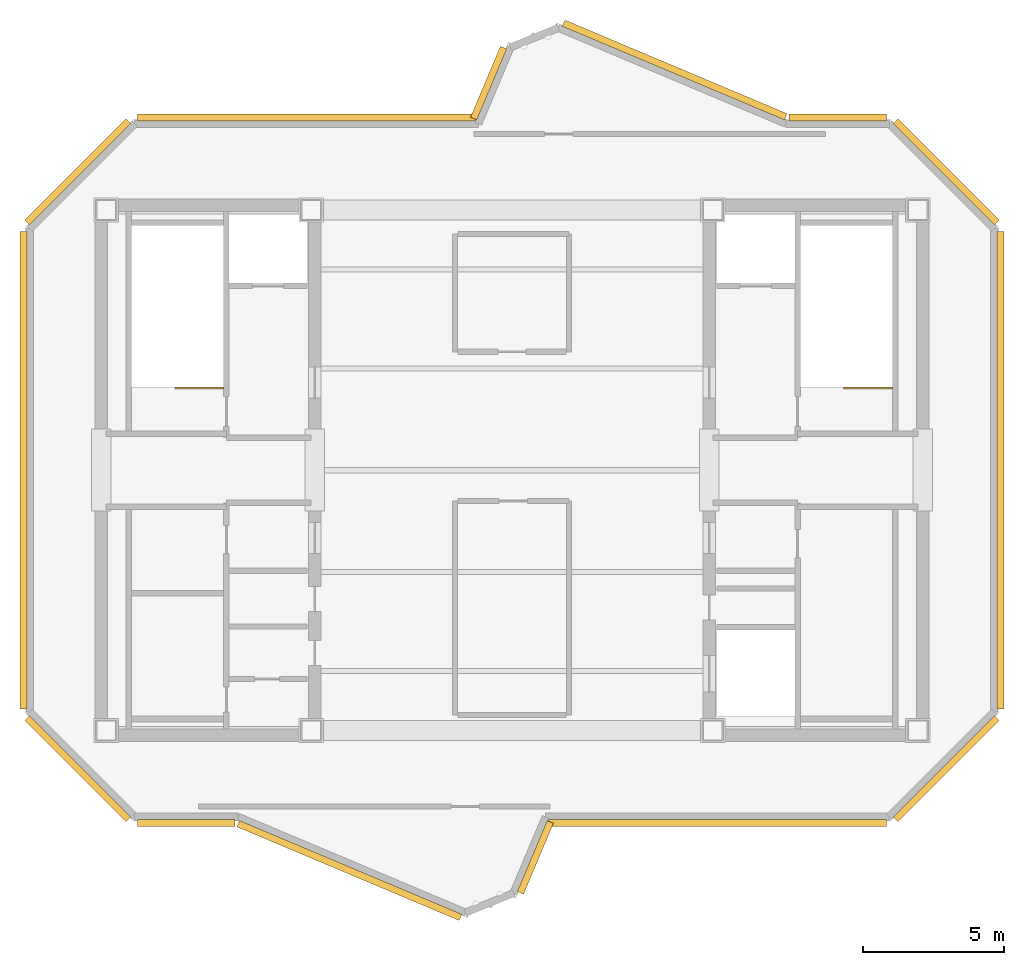
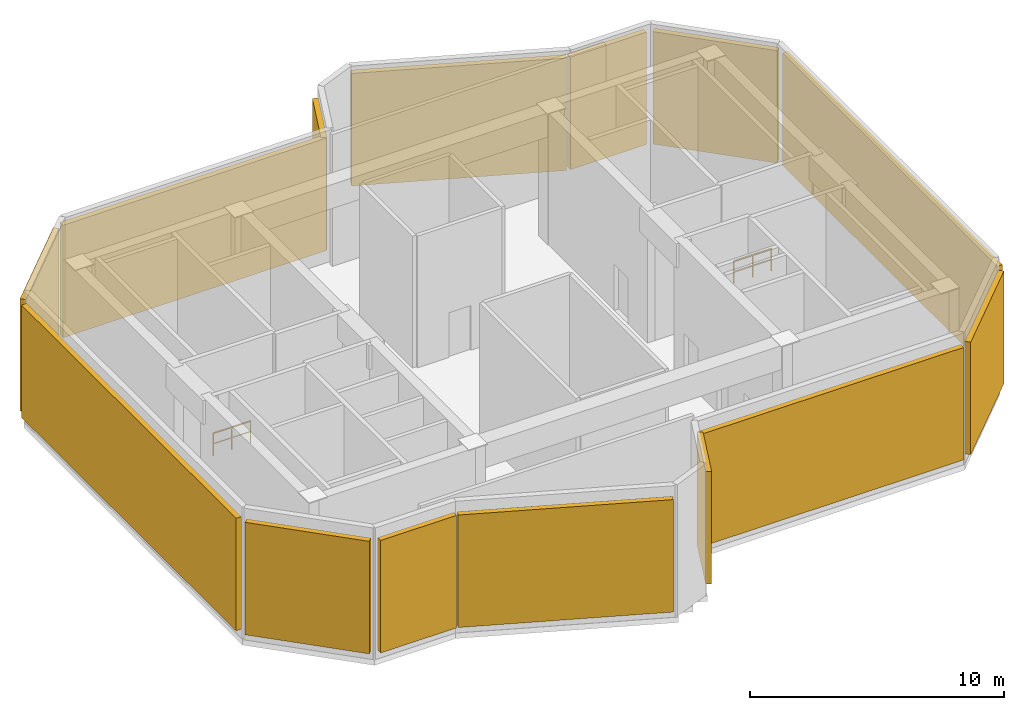
# One storey, part 4 of 4: 14 shading devices, 2 railings.
"""IFC4 building model written with IfcOpenShell, lengths in metres."""

from ifc_helpers import new_model, si_unit, direction, frame, origin, origin_2d, place, context, subcontext, project, spatial, rectangle, extrude, source, transform, mapped, material, type_object, element, save


model = new_model("IFC4")

# Units and contexts
model_context = context("Model", 3, precision=1e-05, world=origin(), true_north=direction((0.0, 1.0)))
body_context = subcontext(model_context, "Body", "Model", "MODEL_VIEW")
ifc_project = project(units=[si_unit("LENGTHUNIT", "METRE"), si_unit("AREAUNIT", "SQUARE_METRE"), si_unit("VOLUMEUNIT", "CUBIC_METRE"), si_unit("PLANEANGLEUNIT", "RADIAN"), si_unit("MASSUNIT", "GRAM", prefix="KILO")], contexts=[model_context])

# Site, building, storey
site_placement = place(None, origin())
site = spatial("IfcSite", under=ifc_project, at=site_placement, CompositionType="ELEMENT")
building_placement = place(site_placement, origin())
building = spatial("IfcBuilding", under=site, at=building_placement, Name="Zahravan Cultural Tower", CompositionType="ELEMENT")
storey_placement = place(building_placement, frame((0.0, 0.0, 388.050048828125)))
storey = spatial("IfcBuildingStorey", under=building, at=storey_placement, Name="RF", CompositionType="ELEMENT", Elevation=388.050048828125)

# Railings
ifc_material_1 = material(Name="Steel ASTM A572 Grade 50", Category="steel")
railing_type = type_object("IfcRailingType", Name="RL-STAIR-GRD1150", PredefinedType="BALUSTRADE", material=ifc_material_1)
for number, where, name in (
    (1, (25.800048828125, 29.89990234375, 0.0), "RF ST-W1 top well guard 1"),
    (2, (49.449951171875, 29.89990234375, 0.0), "RF ST-E1 top well guard 1"),
):
    element("IfcRailing", number, at=place(storey_placement, frame(where)), inside=storey, type_object=railing_type, Name=name, PredefinedType="BALUSTRADE", context=body_context, shape_type="SweptSolid", body=[
        extrude(rectangle(XDim=0.05, YDim=0.05, at=origin_2d()), frame((0.0, 0.0, 1.0751953125), z_axis=(-1.0, 0.0, 0.0), x_axis=(0.0, -1.0, 0.0)), (0.0, 0.0, 1.0), 1.699951171875),
        extrude(rectangle(XDim=0.032, YDim=0.032, at=origin_2d()), frame((0.0, 0.0, 0.572021484375), z_axis=(-1.0, 0.0, 0.0), x_axis=(0.0, -1.0, 0.0)), (0.0, 0.0, 1.0), 1.699951171875),
        extrude(rectangle(XDim=0.04, YDim=0.04, at=origin_2d()), origin(), (0.0, 0.0, 1.0), 1.10009765625),
        extrude(rectangle(XDim=0.04, YDim=0.04, at=origin_2d()), frame((-0.85009765625, 0.0, 0.0)), (0.0, 0.0, 1.0), 1.10009765625),
        extrude(rectangle(XDim=0.04, YDim=0.04, at=origin_2d()), frame((-1.699951171875, 0.0, 0.0)), (0.0, 0.0, 1.0), 1.10009765625),
    ])

# Shading devices
ifc_material_2 = material(Name="Architectural terracotta fin", Category="masonry")
shading_device_type = type_object("IfcShadingDeviceType", Name="SHD-LOUVRE-BAND", PredefinedType="JALOUSIE", material=ifc_material_2)
shared_shape_1 = source(origin(), body_context, "Body", "SweptSolid", [
    extrude(rectangle(XDim=2.725341796875, YDim=0.239990234375, at=origin_2d()), origin(), (0.0, 0.0, 1.0), 5.39990234375),
])
for number, where, z_axis, x_axis, name in (
    (3, (35.172607421875, 40.693359375, 0.39990234375), (0.0, 0.0, 1.0), (0.388335999737, 0.921517851866, 0.0), "RF Crown Terracotta Louvre Screen 01"),
    (4, (36.827392578125, 13.306640625, 0.39990234375), (0.0, 0.0, 1.0), (-0.388335999737, -0.921517851866, 0.0), "RF Crown Terracotta Louvre Screen 09"),
):
    element("IfcShadingDevice", number, at=place(storey_placement, frame(where, z_axis=z_axis, x_axis=x_axis)), inside=storey, type_object=shading_device_type, Name=name, PredefinedType="JALOUSIE", context=body_context, shape_type="MappedRepresentation", body=[
        mapped(shared_shape_1, transform((0.0, 0.0, 0.0), x_axis=(1.0, 0.0, 0.0), y_axis=(0.0, 1.0, 0.0), z_axis=(0.0, 0.0, 1.0), scale=1.0)),
    ])
shared_shape_2 = source(origin(), body_context, "Body", "SweptSolid", [
    extrude(rectangle(XDim=8.527099609375, YDim=0.239990234375, at=origin_2d()), origin(), (0.0, 0.0, 1.0), 5.39990234375),
])
for number, where, z_axis, x_axis, name in (
    (5, (41.75244140625, 41.1572265625, 0.39990234375), (0.0, 0.0, 1.0), (0.921524629468, -0.388319916157, 0.0), "RF Crown Terracotta Louvre Screen 03"),
    (6, (30.24755859375, 12.8427734375, 0.39990234375), (0.0, 0.0, 1.0), (-0.921524629468, 0.388319916157, 0.0), "RF Crown Terracotta Louvre Screen 11"),
):
    element("IfcShadingDevice", number, at=place(storey_placement, frame(where, z_axis=z_axis, x_axis=x_axis)), inside=storey, type_object=shading_device_type, Name=name, PredefinedType="JALOUSIE", context=body_context, shape_type="MappedRepresentation", body=[
        mapped(shared_shape_2, transform((0.0, 0.0, 0.0), x_axis=(1.0, 0.0, 0.0), y_axis=(0.0, 1.0, 0.0), z_axis=(0.0, 0.0, 1.0), scale=1.0)),
    ])
shared_shape_3 = source(origin(), body_context, "Body", "SweptSolid", [
    extrude(rectangle(XDim=3.453857421875, YDim=0.239990234375, at=origin_2d()), origin(), (0.0, 0.0, 1.0), 5.39990234375),
])
for number, where, z_axis, x_axis, name in (
    (7, (47.51513671875, 39.47998046875, 0.39990234375), (0.0, 0.0, 1.0), (1.0, 0.0, 0.0), "RF Crown Terracotta Louvre Screen 04"),
    (8, (24.48486328125, 14.52001953125, 0.39990234375), (0.0, 0.0, 1.0), (-1.0, 0.0, 0.0), "RF Crown Terracotta Louvre Screen 12"),
):
    element("IfcShadingDevice", number, at=place(storey_placement, frame(where, z_axis=z_axis, x_axis=x_axis)), inside=storey, type_object=shading_device_type, Name=name, PredefinedType="JALOUSIE", context=body_context, shape_type="MappedRepresentation", body=[
        mapped(shared_shape_3, transform((0.0, 0.0, 0.0), x_axis=(1.0, 0.0, 0.0), y_axis=(0.0, 1.0, 0.0), z_axis=(0.0, 0.0, 1.0), scale=1.0)),
    ])
shared_shape_4 = source(origin(), body_context, "Body", "SweptSolid", [
    extrude(rectangle(XDim=5.05810546875, YDim=0.239990234375, at=origin_2d()), origin(), (0.0, 0.0, 1.0), 5.39990234375),
])
for number, where, z_axis, x_axis, name in (
    (9, (51.356689453125, 37.556640625, 0.39990234375), (0.0, 0.0, 1.0), (0.707106781187, -0.707106781187, 0.0), "RF Crown Terracotta Louvre Screen 05"),
    (10, (51.356689453125, 16.443359375, 0.39990234375), (0.0, 0.0, 1.0), (-0.707106781187, -0.707106781187, 0.0), "RF Crown Terracotta Louvre Screen 07"),
    (11, (20.643310546875, 16.443359375, 0.39990234375), (0.0, 0.0, 1.0), (-0.707106781187, 0.707106781187, 0.0), "RF Crown Terracotta Louvre Screen 13"),
    (12, (20.643310546875, 37.556640625, 0.39990234375), (0.0, 0.0, 1.0), (0.707106781187, 0.707106781187, 0.0), "RF Crown Terracotta Louvre Screen 15"),
):
    element("IfcShadingDevice", number, at=place(storey_placement, frame(where, z_axis=z_axis, x_axis=x_axis)), inside=storey, type_object=shading_device_type, Name=name, PredefinedType="JALOUSIE", context=body_context, shape_type="MappedRepresentation", body=[
        mapped(shared_shape_4, transform((0.0, 0.0, 0.0), x_axis=(1.0, 0.0, 0.0), y_axis=(0.0, 1.0, 0.0), z_axis=(0.0, 0.0, 1.0), scale=1.0)),
    ])
shared_shape_5 = source(origin(), body_context, "Body", "SweptSolid", [
    extrude(rectangle(XDim=16.884033203125, YDim=0.239990234375, at=origin_2d()), origin(), (0.0, 0.0, 1.0), 5.39990234375),
])
for number, where, z_axis, x_axis, name in (
    (13, (53.280029296875, 27.0, 0.39990234375), (0.0, 0.0, 1.0), (0.0, -1.0, 0.0), "RF Crown Terracotta Louvre Screen 06"),
    (14, (18.719970703125, 27.0, 0.39990234375), (0.0, 0.0, 1.0), (0.0, 1.0, 0.0), "RF Crown Terracotta Louvre Screen 14"),
):
    element("IfcShadingDevice", number, at=place(storey_placement, frame(where, z_axis=z_axis, x_axis=x_axis)), inside=storey, type_object=shading_device_type, Name=name, PredefinedType="JALOUSIE", context=body_context, shape_type="MappedRepresentation", body=[
        mapped(shared_shape_5, transform((0.0, 0.0, 0.0), x_axis=(1.0, 0.0, 0.0), y_axis=(0.0, 1.0, 0.0), z_axis=(0.0, 0.0, 1.0), scale=1.0)),
    ])
shared_shape_6 = source(origin(), body_context, "Body", "SweptSolid", [
    extrude(rectangle(XDim=11.94921875, YDim=0.239990234375, at=origin_2d()), origin(), (0.0, 0.0, 1.0), 5.39990234375),
])
for number, where, z_axis, x_axis, name in (
    (15, (43.267333984375, 14.52001953125, 0.39990234375), (0.0, 0.0, 1.0), (-1.0, 0.0, 0.0), "RF Crown Terracotta Louvre Screen 08"),
    (16, (28.732666015625, 39.47998046875, 0.39990234375), (0.0, 0.0, 1.0), (1.0, 0.0, 0.0), "RF Crown Terracotta Louvre Screen 16"),
):
    element("IfcShadingDevice", number, at=place(storey_placement, frame(where, z_axis=z_axis, x_axis=x_axis)), inside=storey, type_object=shading_device_type, Name=name, PredefinedType="JALOUSIE", context=body_context, shape_type="MappedRepresentation", body=[
        mapped(shared_shape_6, transform((0.0, 0.0, 0.0), x_axis=(1.0, 0.0, 0.0), y_axis=(0.0, 1.0, 0.0), z_axis=(0.0, 0.0, 1.0), scale=1.0)),
    ])

save(model, "model.ifc")
